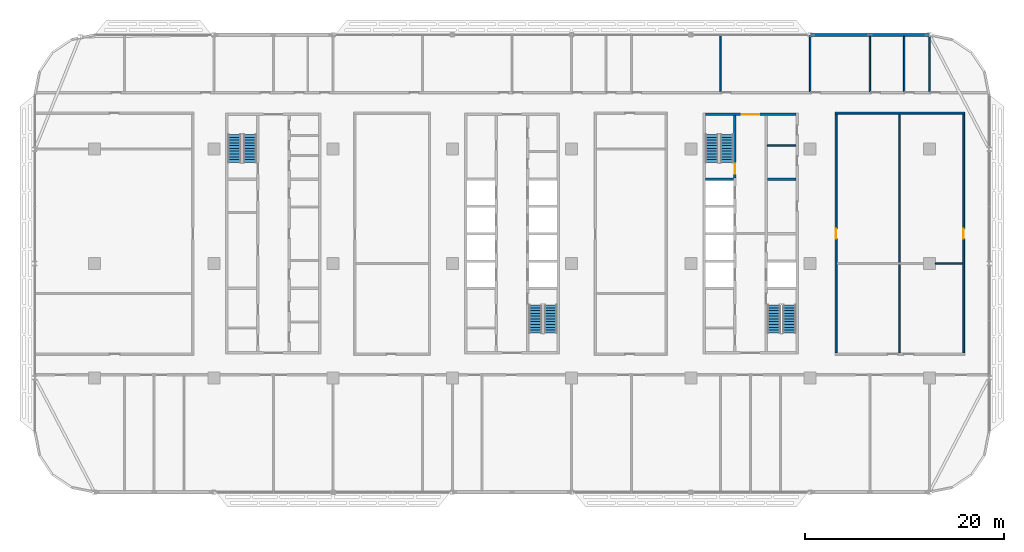
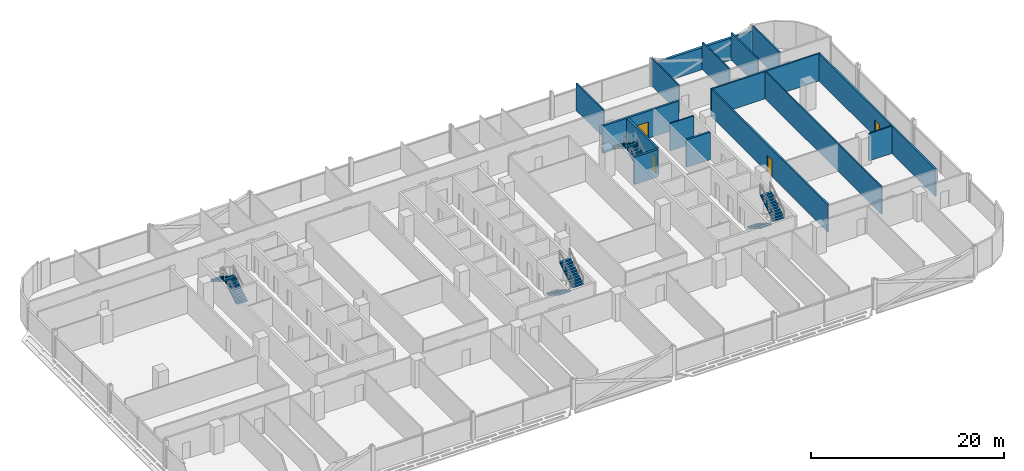
# One storey, part 16 of 27: 16 walls, 8 stair flights, 4 doors, 4 openings, 4 elements without a shape of their own.
"""IFC4 building model written with IfcOpenShell, lengths in metres."""

from ifc_helpers import new_model, si_unit, direction, frame, frame_2d, origin, place, context, subcontext, project, spatial, polyline, rectangle, outline, extrude, material, layer, layer_set, type_object, element, fill, aggregate, save


model = new_model("IFC4")

# Units and contexts
model_context = context("Model", 3, precision=1e-05, world=origin(), true_north=direction((0.0, 1.0)))
body_context = subcontext(model_context, "Body", "Model", "MODEL_VIEW")
ifc_project = project(units=[si_unit("LENGTHUNIT", "METRE"), si_unit("AREAUNIT", "SQUARE_METRE"), si_unit("VOLUMEUNIT", "CUBIC_METRE"), si_unit("PLANEANGLEUNIT", "RADIAN"), si_unit("MASSUNIT", "GRAM", prefix="KILO")], contexts=[model_context])

# Site, building, storey
site_placement = place(None, origin())
site = spatial("IfcSite", under=ifc_project, at=site_placement, CompositionType="ELEMENT")
building_placement = place(site_placement, origin())
building = spatial("IfcBuilding", under=site, at=building_placement, Name="Mahtab Terrace Research Tower", CompositionType="ELEMENT")
storey_placement = place(building_placement, frame((0.0, 0.0, 182.0)))
storey = spatial("IfcBuildingStorey", under=building, at=storey_placement, Name="L43", CompositionType="ELEMENT", Elevation=182.0)

# Wall
ifc_material_1 = material(Name="Gypsum board partition")
ifc_layer_1 = layer(ifc_material_1, 0.14990234375)
ifc_layer_set_1 = layer_set([ifc_layer_1], Name="Core partition 150")
wall_type_1 = type_object("IfcWallType", Name="Core partition 150", PredefinedType="PARTITIONING", material=ifc_layer_set_1)
wall_1_placement = place(storey_placement, frame((25.699951171875, 11.875, 0.0), z_axis=(0.0, 0.0, 1.0), x_axis=(1.0, 0.0, 0.0)))
element("IfcWall", 1, at=wall_1_placement, inside=storey, type_object=wall_type_1, Name="Core wall C pEN888", PredefinedType="PARTITIONING", context=body_context, shape_type="SweptSolid", body=[
    extrude(rectangle(XDim=2.85009765625, YDim=0.14990234375, at=frame_2d((1.425048828125, 0.0))), origin(), (0.0, 0.0, 1.0), 3.4599609375),
])

# Wall, opening, door
ifc_material_2 = material(Name="Concrete C70/85", Category="concrete")
ifc_layer_2 = layer(ifc_material_2, 0.25)
ifc_layer_set_2 = layer_set([ifc_layer_2], Name="Core wall 250")
wall_type_2 = type_object("IfcWallType", Name="Core wall 250", PredefinedType="SOLIDWALL", material=ifc_layer_set_2)
wall_2_placement = place(storey_placement, frame((19.449951171875, 15.0, 0.0), z_axis=(0.0, 0.0, 1.0), x_axis=(1.0, 0.0, 0.0)))
wall_2 = element("IfcWall", 2, at=wall_2_placement, inside=storey, type_object=wall_type_2, Name="Core wall C endN", PredefinedType="SOLIDWALL", context=body_context, shape_type="SweptSolid", body=[
    extrude(rectangle(XDim=9.10009765625, YDim=0.25, at=frame_2d((4.550048828125, 0.0))), origin(), (0.0, 0.0, 1.0), 3.4599609375),
])
opening_1_placement = place(wall_2_placement, frame((3.64990234375, 0.0, 0.0)))
opening_1 = element("IfcOpeningElement", 3, at=opening_1_placement, cuts=wall_2, Name="Opening C-N1", PredefinedType="OPENING", context=body_context, shape_type="SweptSolid", body=[
    extrude(rectangle(XDim=1.800048828125, YDim=2.10009765625, at=frame_2d((0.89990234375, 1.050048828125))), frame((0.0, 0.135009765625, 0.0), z_axis=(0.0, -1.0, 0.0), x_axis=(1.0, 0.0, 0.0)), (0.0, 0.0, 1.0), 0.27001953125),
])
ifc_material_3 = material(Name="Steel fire door", Category="steel")
door_type_1 = type_object("IfcDoorType", Name="Lobby double door 1800x2100 1 HR", OperationType="DOUBLE_DOOR_SINGLE_SWING", PredefinedType="DOOR", material=ifc_material_3)
door_1_placement = place(opening_1_placement, origin())
door_1 = element("IfcDoor", 4, at=door_1_placement, inside=storey, type_object=door_type_1, Name="Core entrance door C N", OperationType="DOUBLE_DOOR_SINGLE_SWING", OverallHeight=2.10009765625, OverallWidth=1.800048828125, PredefinedType="DOOR", context=body_context, shape_type="SweptSolid", body=[
    extrude(rectangle(XDim=1.800048828125, YDim=2.10009765625, at=frame_2d((0.89990234375, 1.050048828125))), frame((0.0, 0.02490234375, 0.0), z_axis=(0.0, -1.0, 0.0), x_axis=(1.0, 0.0, 0.0)), (0.0, 0.0, 1.0), 0.050048828125),
])
fill(opening_1, door_1)

wall_3_placement = place(storey_placement, frame((22.425048828125, 14.875, 0.0), z_axis=(0.0, 0.0, 1.0), x_axis=(0.0, -1.0, 0.0)))
wall_3 = element("IfcWall", 5, at=wall_3_placement, inside=storey, type_object=wall_type_2, Name="Core wall C innerWN", PredefinedType="SOLIDWALL", context=body_context, shape_type="SweptSolid", body=[
    extrude(rectangle(XDim=6.25, YDim=0.25, at=frame_2d((3.125, 0.0))), origin(), (0.0, 0.0, 1.0), 3.4599609375),
])
opening_2_placement = place(wall_3_placement, frame((4.85009765625, 0.0, 0.0)))
opening_2 = element("IfcOpeningElement", 6, at=opening_2_placement, cuts=wall_3, Name="Opening C-ST3", PredefinedType="OPENING", context=body_context, shape_type="SweptSolid", body=[
    extrude(rectangle(XDim=1.0, YDim=2.10009765625, at=frame_2d((0.5, 1.050048828125))), frame((0.0, 0.135009765625, 0.0), z_axis=(0.0, -1.0, 0.0), x_axis=(1.0, 0.0, 0.0)), (0.0, 0.0, 1.0), 0.27001953125),
])
door_type_2 = type_object("IfcDoorType", Name="Stair door 1000x2100 1.5 HR", OperationType="NOTDEFINED", PredefinedType="DOOR", material=ifc_material_3)
door_2_placement = place(opening_2_placement, origin())
door_2 = element("IfcDoor", 7, at=door_2_placement, inside=storey, type_object=door_type_2, Name="Stair door ST3 L43", OperationType="SINGLE_SWING_LEFT", OverallHeight=2.10009765625, OverallWidth=1.0, PredefinedType="DOOR", context=body_context, shape_type="SweptSolid", body=[
    extrude(rectangle(XDim=1.0, YDim=2.10009765625, at=frame_2d((0.5, 1.050048828125))), frame((0.0, 0.02490234375, 0.0), z_axis=(0.0, -1.0, 0.0), x_axis=(1.0, 0.0, 0.0)), (0.0, 0.0, 1.0), 0.050048828125),
])
fill(opening_2, door_2)

# Walls
for number, where, z_axis, x_axis, name in (
    (8, (19.449951171875, 8.5, 0.0), (0.0, 0.0, 1.0), (1.0, 0.0, 0.0), "Core wall C divW4"),
    (9, (25.699951171875, 8.5, 0.0), (0.0, 0.0, 1.0), (1.0, 0.0, 0.0), "Core wall C divE4"),
):
    element("IfcWall", number, at=place(storey_placement, frame(where, z_axis=z_axis, x_axis=x_axis)), inside=storey, type_object=wall_type_2, Name=name, PredefinedType="SOLIDWALL", context=body_context, shape_type="SweptSolid", body=[
        extrude(rectangle(XDim=2.85009765625, YDim=0.25, at=frame_2d((1.425048828125, 0.0))), origin(), (0.0, 0.0, 1.0), 3.4599609375),
    ])
ifc_material_4 = material(Name="Black aluminium cladding panel", Category="aluminium")
ifc_layer_3 = layer(ifc_material_4, 0.300048828125)
ifc_layer_set_3 = layer_set([ifc_layer_3], Name="Opaque facade wall 300")
wall_type_3 = type_object("IfcWallType", Name="Opaque facade wall 300", PredefinedType="NOTDEFINED", material=ifc_layer_set_3)
wall_4_placement = place(storey_placement, frame((41.985107421875, 23.0, 0.0), z_axis=(0.0, 0.0, 1.0), x_axis=(-1.0, 0.0, 0.0)))
element("IfcWall", 10, at=wall_4_placement, inside=storey, type_object=wall_type_3, Name="Opaque facade wall L43 N3", PredefinedType="NOTDEFINED", context=body_context, shape_type="SweptSolid", body=[
    extrude(rectangle(XDim=11.97021484375, YDim=0.300048828125, at=frame_2d((5.985107421875, 0.0))), origin(), (0.0, 0.0, 1.0), 2.78173828125),
])
ifc_material_5 = material(Name="Gypsum board corridor wall on steel studs", Category="steel")
ifc_layer_4 = layer(ifc_material_5, 0.199951171875)
ifc_layer_set_4 = layer_set([ifc_layer_4], Name="WALL CORRIDOR 200")
wall_type_4 = type_object("IfcWallType", Name="WALL CORRIDOR 200", PredefinedType="PARTITIONING", material=ifc_layer_set_4)
wall_5_placement = place(storey_placement, frame((32.5, 15.125, 0.0), z_axis=(0.0, 0.0, 1.0), x_axis=(1.0, 0.0, 0.0)))
element("IfcWall", 11, at=wall_5_placement, inside=storey, type_object=wall_type_4, Name="L43-W025", PredefinedType="PARTITIONING", context=body_context, shape_type="SweptSolid", body=[
    extrude(rectangle(XDim=13.050048828125, YDim=0.199951171875, at=frame_2d((6.52490234375, 0.0))), origin(), (0.0, 0.0, 1.0), 3.4599609375),
])

# Wall, opening, door
wall_6_placement = place(storey_placement, frame((32.60009765625, -9.02490234375, 0.0), z_axis=(0.0, 0.0, 1.0), x_axis=(0.0, 1.0, 0.0)))
wall_6 = element("IfcWall", 12, at=wall_6_placement, inside=storey, type_object=wall_type_4, Name="L43-W057", PredefinedType="PARTITIONING", context=body_context, shape_type="SweptSolid", body=[
    extrude(rectangle(XDim=24.0498046875, YDim=0.199951171875, at=frame_2d((12.02490234375, 0.0))), origin(), (0.0, 0.0, 1.0), 3.4599609375),
])
opening_3_placement = place(wall_6_placement, frame((11.5, 0.0, 0.0)))
opening_3 = element("IfcOpeningElement", 13, at=opening_3_placement, cuts=wall_6, Name="Opening L43-125", PredefinedType="OPENING", context=body_context, shape_type="SweptSolid", body=[
    extrude(rectangle(XDim=1.0, YDim=2.10009765625, at=frame_2d((0.5, 1.050048828125))), frame((0.0, 0.10986328125, 0.0), z_axis=(0.0, -1.0, 0.0), x_axis=(1.0, 0.0, 0.0)), (0.0, 0.0, 1.0), 0.219970703125),
])
ifc_material_6 = material(Name="Timber door leaf in steel frame", Category="steel")
door_type_3 = type_object("IfcDoorType", Name="DOOR 1000X2100 FD30S", OperationType="SINGLE_SWING_LEFT", PredefinedType="DOOR", material=ifc_material_6)
door_3_placement = place(opening_3_placement, origin())
door_3 = element("IfcDoor", 14, at=door_3_placement, inside=storey, type_object=door_type_3, Name="Door L43-125", OperationType="SINGLE_SWING_RIGHT", OverallHeight=2.10009765625, OverallWidth=1.0, PredefinedType="DOOR", context=body_context, shape_type="SweptSolid", body=[
    extrude(rectangle(XDim=1.0, YDim=2.10009765625, at=frame_2d((0.5, 1.050048828125))), frame((0.0, 0.02490234375, 0.0), z_axis=(0.0, -1.0, 0.0), x_axis=(1.0, 0.0, 0.0)), (0.0, 0.0, 1.0), 0.050048828125),
])
fill(opening_3, door_3)

wall_7_placement = place(storey_placement, frame((45.449951171875, -9.02490234375, 0.0), z_axis=(0.0, 0.0, 1.0), x_axis=(0.0, 1.0, 0.0)))
wall_7 = element("IfcWall", 15, at=wall_7_placement, inside=storey, type_object=wall_type_4, Name="L43-W064", PredefinedType="PARTITIONING", context=body_context, shape_type="SweptSolid", body=[
    extrude(rectangle(XDim=24.0498046875, YDim=0.199951171875, at=frame_2d((12.02490234375, 0.0))), origin(), (0.0, 0.0, 1.0), 3.4599609375),
])
opening_4_placement = place(wall_7_placement, frame((11.5, 0.0, 0.0)))
opening_4 = element("IfcOpeningElement", 16, at=opening_4_placement, cuts=wall_7, Name="Opening L43-126", PredefinedType="OPENING", context=body_context, shape_type="SweptSolid", body=[
    extrude(rectangle(XDim=1.0, YDim=2.10009765625, at=frame_2d((0.5, 1.050048828125))), frame((0.0, 0.10986328125, 0.0), z_axis=(0.0, -1.0, 0.0), x_axis=(1.0, 0.0, 0.0)), (0.0, 0.0, 1.0), 0.219970703125),
])
door_4_placement = place(opening_4_placement, origin())
door_4 = element("IfcDoor", 17, at=door_4_placement, inside=storey, type_object=door_type_3, Name="Door L43-126", OperationType="SINGLE_SWING_LEFT", OverallHeight=2.10009765625, OverallWidth=1.0, PredefinedType="DOOR", context=body_context, shape_type="SweptSolid", body=[
    extrude(rectangle(XDim=1.0, YDim=2.10009765625, at=frame_2d((0.5, 1.050048828125))), frame((0.0, 0.02490234375, 0.0), z_axis=(0.0, -1.0, 0.0), x_axis=(1.0, 0.0, 0.0)), (0.0, 0.0, 1.0), 0.050048828125),
])
fill(opening_4, door_4)

# Walls
ifc_material_7 = material(Name="Gypsum board partition on steel studs", Category="steel")
ifc_layer_5 = layer(ifc_material_7, 0.14990234375)
ifc_layer_set_5 = layer_set([ifc_layer_5], Name="WALL PARTITION 150")
wall_type_5 = type_object("IfcWallType", Name="WALL PARTITION 150", PredefinedType="PARTITIONING", material=ifc_layer_set_5)
wall_8_placement = place(storey_placement, frame((42.60009765625, 0.0, 0.0), z_axis=(0.0, 0.0, 1.0), x_axis=(1.0, 0.0, 0.0)))
element("IfcWall", 18, at=wall_8_placement, inside=storey, type_object=wall_type_5, Name="L43-W018", PredefinedType="PARTITIONING", context=body_context, shape_type="SweptSolid", body=[
    extrude(rectangle(XDim=2.75, YDim=0.14990234375, at=frame_2d((1.375, 0.0))), origin(), (0.0, 0.0, 1.0), 3.4599609375),
])
for number, where, z_axis, x_axis, name in (
    (19, (21.0, 17.300048828125, 0.0), (0.0, 0.0, 1.0), (0.0, 1.0, 0.0), "L43-W053"),
    (20, (30.0, 17.300048828125, 0.0), (0.0, 0.0, 1.0), (0.0, 1.0, 0.0), "L43-W056"),
):
    element("IfcWall", number, at=place(storey_placement, frame(where, z_axis=z_axis, x_axis=x_axis)), inside=storey, type_object=wall_type_5, Name=name, PredefinedType="PARTITIONING", context=body_context, shape_type="SweptSolid", body=[
        extrude(rectangle(XDim=5.675048828125, YDim=0.14990234375, at=frame_2d((2.83740234375, 0.0))), origin(), (0.0, 0.0, 1.0), 3.4599609375),
    ])
wall_9_placement = place(storey_placement, frame((36.0, 17.300048828125, 0.0), z_axis=(0.0, 0.0, 1.0), x_axis=(0.0, 1.0, 0.0)))
element("IfcWall", 21, at=wall_9_placement, inside=storey, type_object=wall_type_5, Name="L43-W059", PredefinedType="PARTITIONING", context=body_context, shape_type="SweptSolid", body=[
    extrude(rectangle(XDim=5.550048828125, YDim=0.14990234375, at=frame_2d((2.77490234375, 0.0))), origin(), (0.0, 0.0, 1.0), 3.4599609375),
])
wall_10_placement = place(storey_placement, frame((39.0, -9.02490234375, 0.0), z_axis=(0.0, 0.0, 1.0), x_axis=(0.0, 1.0, 0.0)))
element("IfcWall", 22, at=wall_10_placement, inside=storey, type_object=wall_type_5, Name="L43-W060", PredefinedType="PARTITIONING", context=body_context, shape_type="SweptSolid", body=[
    extrude(rectangle(XDim=24.0498046875, YDim=0.14990234375, at=frame_2d((12.02490234375, 0.0))), origin(), (0.0, 0.0, 1.0), 3.4599609375),
])
wall_11_placement = place(storey_placement, frame((39.449951171875, 17.300048828125, 0.0), z_axis=(0.0, 0.0, 1.0), x_axis=(0.0, 1.0, 0.0)))
element("IfcWall", 23, at=wall_11_placement, inside=storey, type_object=wall_type_5, Name="L43-W061", PredefinedType="PARTITIONING", context=body_context, shape_type="SweptSolid", body=[
    extrude(rectangle(XDim=5.550048828125, YDim=0.14990234375, at=frame_2d((2.77490234375, 0.0))), origin(), (0.0, 0.0, 1.0), 3.4599609375),
])
wall_12_placement = place(storey_placement, frame((42.0, 17.300048828125, 0.0), z_axis=(0.0, 0.0, 1.0), x_axis=(0.0, 1.0, 0.0)))
element("IfcWall", 24, at=wall_12_placement, inside=storey, type_object=wall_type_5, Name="L43-W063", PredefinedType="PARTITIONING", context=body_context, shape_type="SweptSolid", body=[
    extrude(rectangle(XDim=5.547119140625, YDim=0.14990234375, at=frame_2d((2.7734375, 0.0))), origin(), (0.0, 0.0, 1.0), 3.4599609375),
])

# Stair, stair flights
ifc_material_8 = material(Name="Exit stair half-turn")
stair_type = type_object("IfcStairType", Name="Exit stair half-turn", PredefinedType="HALF_TURN_STAIR", material=ifc_material_8)
stair_1_placement = place(storey_placement, origin())
stair_1 = element("IfcStair", 25, at=stair_1_placement, inside=storey, type_object=stair_type, Name="L43 Protected exit stair ST1", PredefinedType="HALF_TURN_STAIR")
ifc_material_9 = material(Name="Concrete C40/50", Category="concrete")
stair_flight_type = type_object("IfcStairFlightType", Name="Exit stair flight 1300", PredefinedType="STRAIGHT", material=ifc_material_9)
stair_flight_1_placement = place(storey_placement, frame((-26.35009765625, 10.175048828125, 0.0), z_axis=(0.0, 0.0, 1.0), x_axis=(0.0, 1.0, 0.0)))
stair_flight_1 = element("IfcStairFlight", 26, at=stair_flight_1_placement, type_object=stair_flight_type, Name="ST1 flight 1", NumberOfRisers=11, NumberOfTreads=10, PredefinedType="STRAIGHT", RiserHeight=0.172727273, TreadLength=0.28, context=body_context, shape_type="SweptSolid", body=[
    extrude(outline(polyline([(0.0, 0.0), (0.0, 0.172607421875), (0.280029296875, 0.172607421875), (0.280029296875, 0.345458984375), (0.56005859375, 0.345458984375), (0.56005859375, 0.51806640625), (0.840087890625, 0.51806640625), (0.840087890625, 0.69091796875), (1.1201171875, 0.69091796875), (1.1201171875, 0.863525390625), (1.39990234375, 0.863525390625), (1.39990234375, 1.036376953125), (1.679931640625, 1.036376953125), (1.679931640625, 1.208984375), (1.9599609375, 1.208984375), (1.9599609375, 1.3818359375), (2.239990234375, 1.3818359375), (2.239990234375, 1.554443359375), (2.52001953125, 1.554443359375), (2.52001953125, 1.727294921875), (2.800048828125, 1.727294921875), (2.800048828125, 1.89990234375), (2.800048828125, 1.551025390625), (0.285400390625, 0.0), (0.0, 0.0)])), frame((0.0, 0.64990234375, 0.0), z_axis=(0.0, -1.0, 0.0), x_axis=(1.0, 0.0, 0.0)), (0.0, 0.0, 1.0), 1.300048828125),
])
stair_flight_2_placement = place(storey_placement, frame((-27.89990234375, 12.97509765625, 1.89990234375), z_axis=(0.0, 0.0, 1.0), x_axis=(0.0, -1.0, 0.0)))
stair_flight_2 = element("IfcStairFlight", 27, at=stair_flight_2_placement, type_object=stair_flight_type, Name="ST1 flight 2", NumberOfRisers=11, NumberOfTreads=10, PredefinedType="STRAIGHT", RiserHeight=0.172727273, TreadLength=0.28, context=body_context, shape_type="SweptSolid", body=[
    extrude(outline(polyline([(0.0, 0.0), (0.0, 0.172607421875), (0.280029296875, 0.172607421875), (0.280029296875, 0.345458984375), (0.56005859375, 0.345458984375), (0.56005859375, 0.51806640625), (0.840087890625, 0.51806640625), (0.840087890625, 0.69091796875), (1.1201171875, 0.69091796875), (1.1201171875, 0.863525390625), (1.39990234375, 0.863525390625), (1.39990234375, 1.036376953125), (1.679931640625, 1.036376953125), (1.679931640625, 1.208984375), (1.9599609375, 1.208984375), (1.9599609375, 1.3818359375), (2.239990234375, 1.3818359375), (2.239990234375, 1.554443359375), (2.52001953125, 1.554443359375), (2.52001953125, 1.727294921875), (2.800048828125, 1.727294921875), (2.800048828125, 1.89990234375), (2.800048828125, 1.551025390625), (0.285400390625, 0.0), (0.0, 0.0)])), frame((0.0, 0.64990234375, 0.0), z_axis=(0.0, -1.0, 0.0), x_axis=(1.0, 0.0, 0.0)), (0.0, 0.0, 1.0), 1.300048828125),
])
aggregate(stair_1, [stair_flight_1, stair_flight_2])

stair_2_placement = place(storey_placement, origin())
stair_2 = element("IfcStair", 28, at=stair_2_placement, inside=storey, type_object=stair_type, Name="L43 Protected exit stair ST2", PredefinedType="HALF_TURN_STAIR")
stair_flight_3_placement = place(storey_placement, frame((2.35009765625, -4.175048828125, 0.0), z_axis=(0.0, 0.0, 1.0), x_axis=(0.0, -1.0, 0.0)))
stair_flight_3 = element("IfcStairFlight", 29, at=stair_flight_3_placement, type_object=stair_flight_type, Name="ST2 flight 1", NumberOfRisers=11, NumberOfTreads=10, PredefinedType="STRAIGHT", RiserHeight=0.172727273, TreadLength=0.28, context=body_context, shape_type="SweptSolid", body=[
    extrude(outline(polyline([(0.0, 0.0), (0.0, 0.172607421875), (0.280029296875, 0.172607421875), (0.280029296875, 0.345458984375), (0.56005859375, 0.345458984375), (0.56005859375, 0.51806640625), (0.840087890625, 0.51806640625), (0.840087890625, 0.69091796875), (1.1201171875, 0.69091796875), (1.1201171875, 0.863525390625), (1.39990234375, 0.863525390625), (1.39990234375, 1.036376953125), (1.679931640625, 1.036376953125), (1.679931640625, 1.208984375), (1.9599609375, 1.208984375), (1.9599609375, 1.3818359375), (2.239990234375, 1.3818359375), (2.239990234375, 1.554443359375), (2.52001953125, 1.554443359375), (2.52001953125, 1.727294921875), (2.800048828125, 1.727294921875), (2.800048828125, 1.89990234375), (2.800048828125, 1.551025390625), (0.285400390625, 0.0), (0.0, 0.0)])), frame((0.0, 0.64990234375, 0.0), z_axis=(0.0, -1.0, 0.0), x_axis=(1.0, 0.0, 0.0)), (0.0, 0.0, 1.0), 1.300048828125),
])
stair_flight_4_placement = place(storey_placement, frame((3.89990234375, -6.97509765625, 1.89990234375), z_axis=(0.0, 0.0, 1.0), x_axis=(0.0, 1.0, 0.0)))
stair_flight_4 = element("IfcStairFlight", 30, at=stair_flight_4_placement, type_object=stair_flight_type, Name="ST2 flight 2", NumberOfRisers=11, NumberOfTreads=10, PredefinedType="STRAIGHT", RiserHeight=0.172727273, TreadLength=0.28, context=body_context, shape_type="SweptSolid", body=[
    extrude(outline(polyline([(0.0, 0.0), (0.0, 0.172607421875), (0.280029296875, 0.172607421875), (0.280029296875, 0.345458984375), (0.56005859375, 0.345458984375), (0.56005859375, 0.51806640625), (0.840087890625, 0.51806640625), (0.840087890625, 0.69091796875), (1.1201171875, 0.69091796875), (1.1201171875, 0.863525390625), (1.39990234375, 0.863525390625), (1.39990234375, 1.036376953125), (1.679931640625, 1.036376953125), (1.679931640625, 1.208984375), (1.9599609375, 1.208984375), (1.9599609375, 1.3818359375), (2.239990234375, 1.3818359375), (2.239990234375, 1.554443359375), (2.52001953125, 1.554443359375), (2.52001953125, 1.727294921875), (2.800048828125, 1.727294921875), (2.800048828125, 1.89990234375), (2.800048828125, 1.551025390625), (0.285400390625, 0.0), (0.0, 0.0)])), frame((0.0, 0.64990234375, 0.0), z_axis=(0.0, -1.0, 0.0), x_axis=(1.0, 0.0, 0.0)), (0.0, 0.0, 1.0), 1.300048828125),
])
aggregate(stair_2, [stair_flight_3, stair_flight_4])

stair_3_placement = place(storey_placement, origin())
stair_3 = element("IfcStair", 31, at=stair_3_placement, inside=storey, type_object=stair_type, Name="L43 Protected exit stair ST3", PredefinedType="HALF_TURN_STAIR")
stair_flight_5_placement = place(storey_placement, frame((21.64990234375, 10.175048828125, 0.0), z_axis=(0.0, 0.0, 1.0), x_axis=(0.0, 1.0, 0.0)))
stair_flight_5 = element("IfcStairFlight", 32, at=stair_flight_5_placement, type_object=stair_flight_type, Name="ST3 flight 1", NumberOfRisers=11, NumberOfTreads=10, PredefinedType="STRAIGHT", RiserHeight=0.172727273, TreadLength=0.28, context=body_context, shape_type="SweptSolid", body=[
    extrude(outline(polyline([(0.0, 0.0), (0.0, 0.172607421875), (0.280029296875, 0.172607421875), (0.280029296875, 0.345458984375), (0.56005859375, 0.345458984375), (0.56005859375, 0.51806640625), (0.840087890625, 0.51806640625), (0.840087890625, 0.69091796875), (1.1201171875, 0.69091796875), (1.1201171875, 0.863525390625), (1.39990234375, 0.863525390625), (1.39990234375, 1.036376953125), (1.679931640625, 1.036376953125), (1.679931640625, 1.208984375), (1.9599609375, 1.208984375), (1.9599609375, 1.3818359375), (2.239990234375, 1.3818359375), (2.239990234375, 1.554443359375), (2.52001953125, 1.554443359375), (2.52001953125, 1.727294921875), (2.800048828125, 1.727294921875), (2.800048828125, 1.89990234375), (2.800048828125, 1.551025390625), (0.285400390625, 0.0), (0.0, 0.0)])), frame((0.0, 0.64990234375, 0.0), z_axis=(0.0, -1.0, 0.0), x_axis=(1.0, 0.0, 0.0)), (0.0, 0.0, 1.0), 1.300048828125),
])
stair_flight_6_placement = place(storey_placement, frame((20.10009765625, 12.97509765625, 1.89990234375), z_axis=(0.0, 0.0, 1.0), x_axis=(0.0, -1.0, 0.0)))
stair_flight_6 = element("IfcStairFlight", 33, at=stair_flight_6_placement, type_object=stair_flight_type, Name="ST3 flight 2", NumberOfRisers=11, NumberOfTreads=10, PredefinedType="STRAIGHT", RiserHeight=0.172727273, TreadLength=0.28, context=body_context, shape_type="SweptSolid", body=[
    extrude(outline(polyline([(0.0, 0.0), (0.0, 0.172607421875), (0.280029296875, 0.172607421875), (0.280029296875, 0.345458984375), (0.56005859375, 0.345458984375), (0.56005859375, 0.51806640625), (0.840087890625, 0.51806640625), (0.840087890625, 0.69091796875), (1.1201171875, 0.69091796875), (1.1201171875, 0.863525390625), (1.39990234375, 0.863525390625), (1.39990234375, 1.036376953125), (1.679931640625, 1.036376953125), (1.679931640625, 1.208984375), (1.9599609375, 1.208984375), (1.9599609375, 1.3818359375), (2.239990234375, 1.3818359375), (2.239990234375, 1.554443359375), (2.52001953125, 1.554443359375), (2.52001953125, 1.727294921875), (2.800048828125, 1.727294921875), (2.800048828125, 1.89990234375), (2.800048828125, 1.551025390625), (0.285400390625, 0.0), (0.0, 0.0)])), frame((0.0, 0.64990234375, 0.0), z_axis=(0.0, -1.0, 0.0), x_axis=(1.0, 0.0, 0.0)), (0.0, 0.0, 1.0), 1.300048828125),
])
aggregate(stair_3, [stair_flight_5, stair_flight_6])

stair_4_placement = place(storey_placement, origin())
stair_4 = element("IfcStair", 34, at=stair_4_placement, inside=storey, type_object=stair_type, Name="L43 Protected exit stair ST4", PredefinedType="HALF_TURN_STAIR")
stair_flight_7_placement = place(storey_placement, frame((26.35009765625, -4.175048828125, 0.0), z_axis=(0.0, 0.0, 1.0), x_axis=(0.0, -1.0, 0.0)))
stair_flight_7 = element("IfcStairFlight", 35, at=stair_flight_7_placement, type_object=stair_flight_type, Name="ST4 flight 1", NumberOfRisers=11, NumberOfTreads=10, PredefinedType="STRAIGHT", RiserHeight=0.172727273, TreadLength=0.28, context=body_context, shape_type="SweptSolid", body=[
    extrude(outline(polyline([(0.0, 0.0), (0.0, 0.172607421875), (0.280029296875, 0.172607421875), (0.280029296875, 0.345458984375), (0.56005859375, 0.345458984375), (0.56005859375, 0.51806640625), (0.840087890625, 0.51806640625), (0.840087890625, 0.69091796875), (1.1201171875, 0.69091796875), (1.1201171875, 0.863525390625), (1.39990234375, 0.863525390625), (1.39990234375, 1.036376953125), (1.679931640625, 1.036376953125), (1.679931640625, 1.208984375), (1.9599609375, 1.208984375), (1.9599609375, 1.3818359375), (2.239990234375, 1.3818359375), (2.239990234375, 1.554443359375), (2.52001953125, 1.554443359375), (2.52001953125, 1.727294921875), (2.800048828125, 1.727294921875), (2.800048828125, 1.89990234375), (2.800048828125, 1.551025390625), (0.285400390625, 0.0), (0.0, 0.0)])), frame((0.0, 0.64990234375, 0.0), z_axis=(0.0, -1.0, 0.0), x_axis=(1.0, 0.0, 0.0)), (0.0, 0.0, 1.0), 1.300048828125),
])
stair_flight_8_placement = place(storey_placement, frame((27.89990234375, -6.97509765625, 1.89990234375), z_axis=(0.0, 0.0, 1.0), x_axis=(0.0, 1.0, 0.0)))
stair_flight_8 = element("IfcStairFlight", 36, at=stair_flight_8_placement, type_object=stair_flight_type, Name="ST4 flight 2", NumberOfRisers=11, NumberOfTreads=10, PredefinedType="STRAIGHT", RiserHeight=0.172727273, TreadLength=0.28, context=body_context, shape_type="SweptSolid", body=[
    extrude(outline(polyline([(0.0, 0.0), (0.0, 0.172607421875), (0.280029296875, 0.172607421875), (0.280029296875, 0.345458984375), (0.56005859375, 0.345458984375), (0.56005859375, 0.51806640625), (0.840087890625, 0.51806640625), (0.840087890625, 0.69091796875), (1.1201171875, 0.69091796875), (1.1201171875, 0.863525390625), (1.39990234375, 0.863525390625), (1.39990234375, 1.036376953125), (1.679931640625, 1.036376953125), (1.679931640625, 1.208984375), (1.9599609375, 1.208984375), (1.9599609375, 1.3818359375), (2.239990234375, 1.3818359375), (2.239990234375, 1.554443359375), (2.52001953125, 1.554443359375), (2.52001953125, 1.727294921875), (2.800048828125, 1.727294921875), (2.800048828125, 1.89990234375), (2.800048828125, 1.551025390625), (0.285400390625, 0.0), (0.0, 0.0)])), frame((0.0, 0.64990234375, 0.0), z_axis=(0.0, -1.0, 0.0), x_axis=(1.0, 0.0, 0.0)), (0.0, 0.0, 1.0), 1.300048828125),
])
aggregate(stair_4, [stair_flight_7, stair_flight_8])

save(model, "model.ifc")
